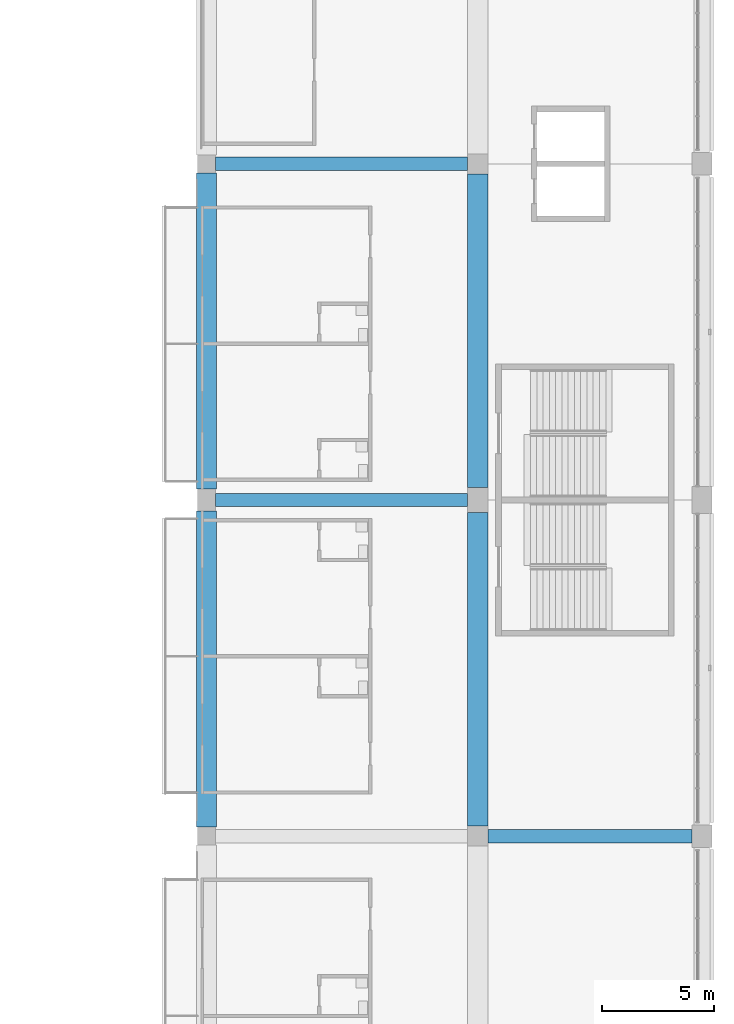
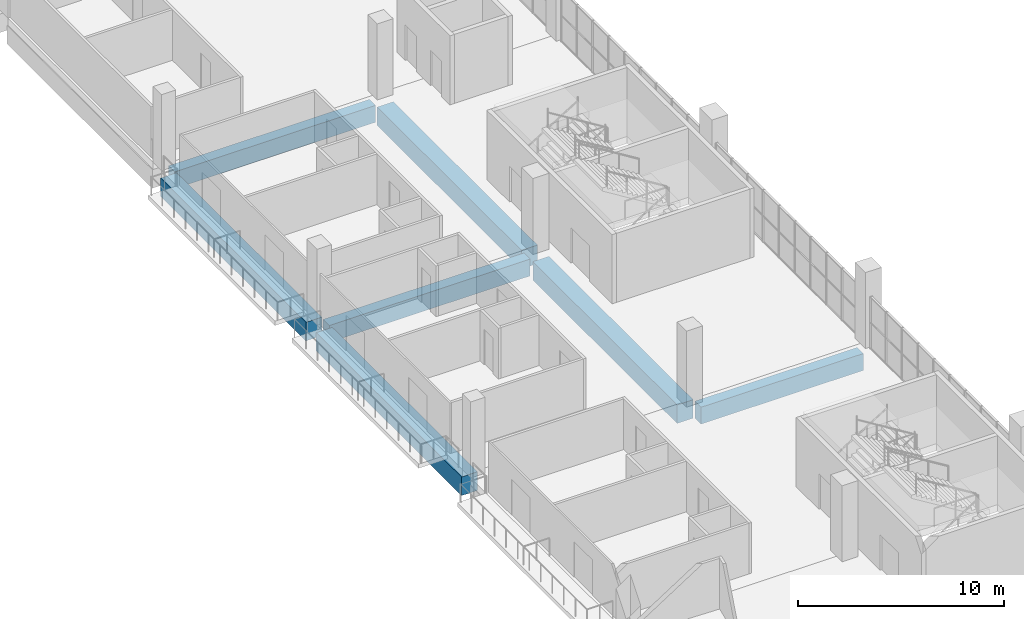
# One storey, part 28 of 199: 7 beams.
"""IFC4 building model written with IfcOpenShell, lengths in metres."""

from ifc_helpers import new_model, si_unit, direction, frame, origin, origin_2d, place, context, subcontext, project, spatial, rectangle, extrude, material, material_profile, profile_set, type_object, element, save


model = new_model("IFC4")

# Units and contexts
model_context = context("Model", 3, precision=1e-05, world=origin(), true_north=direction((0.0, 1.0)))
body_context = subcontext(model_context, "Body", "Model", "MODEL_VIEW")
ifc_project = project(units=[si_unit("LENGTHUNIT", "METRE"), si_unit("AREAUNIT", "SQUARE_METRE"), si_unit("VOLUMEUNIT", "CUBIC_METRE"), si_unit("PLANEANGLEUNIT", "RADIAN"), si_unit("MASSUNIT", "GRAM", prefix="KILO")], contexts=[model_context])

# Site, building, storey
site_placement = place(None, origin())
site = spatial("IfcSite", under=ifc_project, at=site_placement, CompositionType="ELEMENT")
building_placement = place(site_placement, origin())
building = spatial("IfcBuilding", under=site, at=building_placement, Name="Ogive Plaza Stadium", CompositionType="ELEMENT")
storey_placement = place(building_placement, frame((0.0, 0.0, 9.0)))
storey = spatial("IfcBuildingStorey", under=building, at=storey_placement, Name="L02", CompositionType="ELEMENT", Elevation=9.0)

# Beams
ifc_material_1 = material(Name="Concrete C40/50", Category="concrete")
ifc_material_profile_1 = material_profile(ifc_material_1, rectangle(XDim=0.60009765625, YDim=1.0, at=origin_2d()), Name="RC 600x1000")
ifc_profile_set_1 = profile_set([ifc_material_profile_1], Name="Concrete C40/50")
beam_type_1 = type_object("IfcBeamType", Name="RC radial beam 600x1000", PredefinedType="BEAM", material=ifc_profile_set_1)
for number, where, z_axis, x_axis, name in (
    (1, (62.300048828125, -7.5, -0.909912109375), (1.0, 0.0, 0.0), (0.0, 1.0, 0.0), "Radial beam L02 R05 F3F4"),
    (2, (62.300048828125, -22.5, -0.909912109375), (1.0, 0.0, 0.0), (0.0, 1.0, 0.0), "Radial beam L02 R06 F3F4"),
):
    element("IfcBeam", number, at=place(storey_placement, frame(where, z_axis=z_axis, x_axis=x_axis)), inside=storey, type_object=beam_type_1, Name=name, PredefinedType="BEAM", context=body_context, shape_type="SweptSolid", body=[
        extrude(rectangle(XDim=0.60009765625, YDim=1.0, at=origin_2d()), origin(), (0.0, 0.0, 1.0), 11.25),
    ])
beam_1_placement = place(storey_placement, frame((74.449951171875, -37.5, -0.909912109375), z_axis=(1.0, 0.0, 0.0), x_axis=(0.0, 1.0, 0.0)))
element("IfcBeam", 3, at=beam_1_placement, inside=storey, type_object=beam_type_1, Name="Radial beam L02 R07 F4F5", PredefinedType="BEAM", context=body_context, shape_type="SweptSolid", body=[
    extrude(rectangle(XDim=0.60009765625, YDim=1.0, at=origin_2d()), origin(), (0.0, 0.0, 1.0), 9.10009765625),
])
ifc_material_2 = material(Name="Concrete C40/50", Category="concrete")
ifc_material_profile_2 = material_profile(ifc_material_2, rectangle(XDim=0.89990234375, YDim=1.10009765625, at=origin_2d()), Name="RC 900x1100")
ifc_profile_set_2 = profile_set([ifc_material_profile_2], Name="Concrete C40/50")
beam_type_2 = type_object("IfcBeamType", Name="RC ring beam 900x1100", PredefinedType="BEAM", material=ifc_profile_set_2)
beam_2_placement = place(storey_placement, frame((74.0, -7.949951171875, -0.9599609375), z_axis=(0.0, -1.0, 0.0), x_axis=(1.0, 0.0, 0.0)))
element("IfcBeam", 4, at=beam_2_placement, inside=storey, type_object=beam_type_2, Name="Ring beam F4 L02 B05", PredefinedType="BEAM", context=body_context, shape_type="SweptSolid", body=[
    extrude(rectangle(XDim=0.89990234375, YDim=1.10009765625, at=origin_2d()), origin(), (0.0, 0.0, 1.0), 14.0),
])
beam_3_placement = place(storey_placement, frame((61.89990234375, -7.89990234375, -0.9599609375), z_axis=(0.0, -1.0, 0.0), x_axis=(1.0, 0.0, 0.0)))
element("IfcBeam", 5, at=beam_3_placement, inside=storey, type_object=beam_type_2, Name="Ring beam F3 L02 B05", PredefinedType="BEAM", context=body_context, shape_type="SweptSolid", body=[
    extrude(rectangle(XDim=0.89990234375, YDim=1.10009765625, at=origin_2d()), origin(), (0.0, 0.0, 1.0), 14.10009765625),
])
beam_4_placement = place(storey_placement, frame((74.0, -23.050048828125, -0.9599609375), z_axis=(0.0, -1.0, 0.0), x_axis=(1.0, 0.0, 0.0)))
element("IfcBeam", 6, at=beam_4_placement, inside=storey, type_object=beam_type_2, Name="Ring beam F4 L02 B06", PredefinedType="BEAM", context=body_context, shape_type="SweptSolid", body=[
    extrude(rectangle(XDim=0.89990234375, YDim=1.10009765625, at=origin_2d()), origin(), (0.0, 0.0, 1.0), 14.0),
])
beam_5_placement = place(storey_placement, frame((61.89990234375, -23.0, -0.9599609375), z_axis=(0.0, -1.0, 0.0), x_axis=(1.0, 0.0, 0.0)))
element("IfcBeam", 7, at=beam_5_placement, inside=storey, type_object=beam_type_2, Name="Ring beam F3 L02 B06", PredefinedType="BEAM", context=body_context, shape_type="SweptSolid", body=[
    extrude(rectangle(XDim=0.89990234375, YDim=1.10009765625, at=origin_2d()), origin(), (0.0, 0.0, 1.0), 14.10009765625),
])

save(model, "model.ifc")
